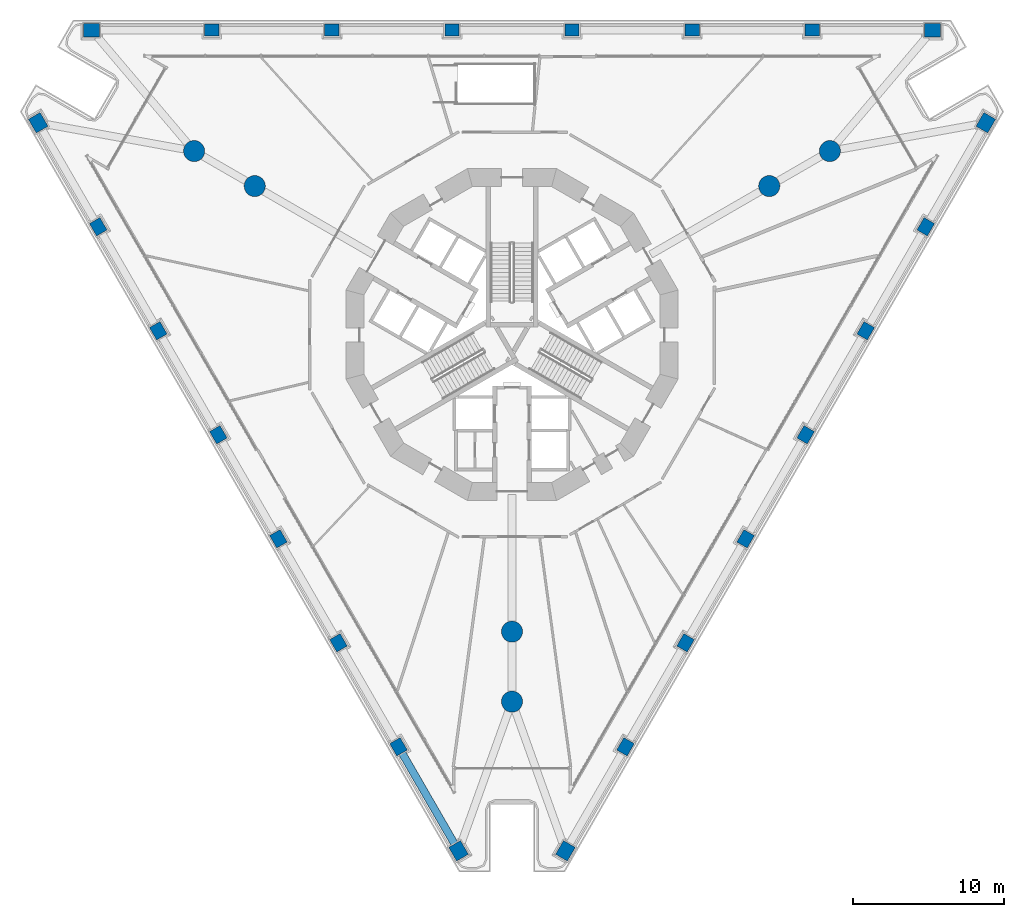
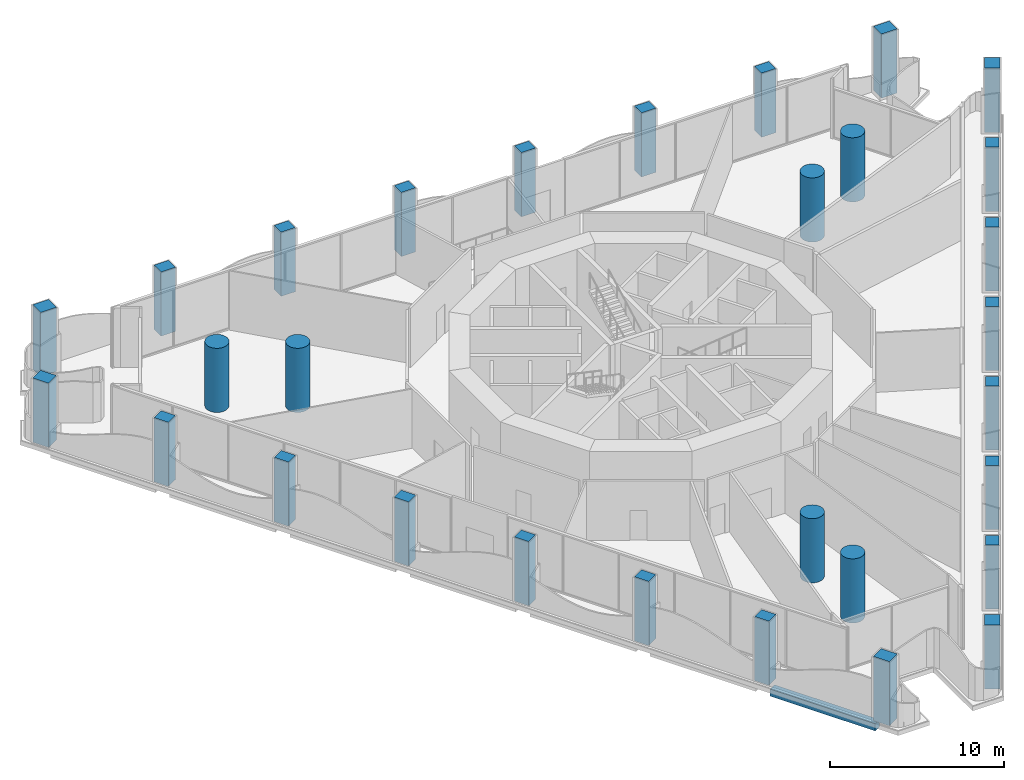
# One storey, part 1 of 21: 30 columns, 1 beam.
"""IFC4 building model written with IfcOpenShell, lengths in metres."""

from ifc_helpers import new_model, si_unit, direction, frame, origin, origin_2d, place, context, subcontext, project, spatial, rectangle, circle, extrude, material, material_profile, profile_set, type_object, element, save


model = new_model("IFC4")

# Units and contexts
model_context = context("Model", 3, precision=1e-05, world=origin(), true_north=direction((0.0, 1.0)))
body_context = subcontext(model_context, "Body", "Model", "MODEL_VIEW")
ifc_project = project(units=[si_unit("LENGTHUNIT", "METRE"), si_unit("AREAUNIT", "SQUARE_METRE"), si_unit("VOLUMEUNIT", "CUBIC_METRE"), si_unit("PLANEANGLEUNIT", "RADIAN"), si_unit("MASSUNIT", "GRAM", prefix="KILO")], contexts=[model_context])

# Site, building, storey
site_placement = place(None, origin())
site = spatial("IfcSite", under=ifc_project, at=site_placement, CompositionType="ELEMENT")
building_placement = place(site_placement, origin())
building = spatial("IfcBuilding", under=site, at=building_placement, Name="Trine Commons Tower", CompositionType="ELEMENT")
storey_placement = place(building_placement, frame((0.0, 0.0, 27.0)))
storey = spatial("IfcBuildingStorey", under=building, at=storey_placement, Name="L05", CompositionType="ELEMENT", Elevation=27.0)

# Columns
ifc_material_1 = material(Name="Concrete C80/95", Category="concrete")
ifc_material_profile_1 = material_profile(ifc_material_1, rectangle(XDim=1.050048828125, YDim=0.89990234375, at=origin_2d()), Name="RC 1050x900")
ifc_profile_set_1 = profile_set([ifc_material_profile_1], Name="Concrete C80/95")
column_type_1 = type_object("IfcColumnType", Name="RC column 1050x900, C80/95", PredefinedType="COLUMN", material=ifc_profile_set_1)
for number, where, z_axis, x_axis, name in (
    (1, (76.45556640625, 28.27001953125, 0.0), (0.0, 0.0, 1.0), (-0.5, 0.866025403784, 0.0), "Column PC1-01 L05"),
    (2, (48.583740234375, 76.54541015625, 0.0), (0.0, 0.0, 1.0), (-0.5, 0.866025403784, 0.0), "Column PC1-08 L05"),
    (3, (52.128173828125, 82.6845703125, 0.0), (0.0, 0.0, 1.0), (1.0, 0.0, 0.0), "Column PC1-09 L05"),
    (4, (107.871826171875, 82.6845703125, 0.0), (0.0, 0.0, 1.0), (1.0, 0.0, 0.0), "Column PC1-16 L05"),
    (5, (111.416259765625, 76.54541015625, 0.0), (0.0, 0.0, 1.0), (0.5, 0.866025403784, 0.0), "Column PC1-17 L05"),
    (6, (83.54443359375, 28.27001953125, 0.0), (0.0, 0.0, 1.0), (0.5, 0.866025403784, 0.0), "Column PC1-24 L05"),
):
    element("IfcColumn", number, at=place(storey_placement, frame(where, z_axis=z_axis, x_axis=x_axis)), inside=storey, type_object=column_type_1, Name=name, PredefinedType="COLUMN", context=body_context, shape_type="SweptSolid", body=[
        extrude(rectangle(XDim=1.050048828125, YDim=0.89990234375, at=origin_2d()), origin(), (0.0, 0.0, 1.0), 4.5),
    ])
ifc_material_profile_2 = material_profile(ifc_material_1, rectangle(XDim=0.949951171875, YDim=0.800048828125, at=origin_2d()), Name="RC 950x800")
ifc_profile_set_2 = profile_set([ifc_material_profile_2], Name="Concrete C80/95")
column_type_2 = type_object("IfcColumnType", Name="RC column 950x800, C80/95", PredefinedType="COLUMN", material=ifc_profile_set_2)
for number, where, z_axis, x_axis, name in (
    (7, (72.473876953125, 35.16650390625, 0.0), (0.0, 0.0, 1.0), (-0.5, 0.866025403784, 0.0), "Column PC1-02 L05"),
    (8, (68.4921875, 42.06298828125, 0.0), (0.0, 0.0, 1.0), (-0.5, 0.866025403784, 0.0), "Column PC1-03 L05"),
    (9, (64.510498046875, 48.95947265625, 0.0), (0.0, 0.0, 1.0), (-0.5, 0.866025403784, 0.0), "Column PC1-04 L05"),
    (10, (60.52880859375, 55.85595703125, 0.0), (0.0, 0.0, 1.0), (-0.5, 0.866025403784, 0.0), "Column PC1-05 L05"),
    (11, (56.547119140625, 62.75244140625, 0.0), (0.0, 0.0, 1.0), (-0.5, 0.866025403784, 0.0), "Column PC1-06 L05"),
    (12, (52.5654296875, 69.64892578125, 0.0), (0.0, 0.0, 1.0), (-0.5, 0.866025403784, 0.0), "Column PC1-07 L05"),
    (13, (60.091552734375, 82.6845703125, 0.0), (0.0, 0.0, 1.0), (1.0, 0.0, 0.0), "Column PC1-10 L05"),
    (14, (68.054931640625, 82.6845703125, 0.0), (0.0, 0.0, 1.0), (1.0, 0.0, 0.0), "Column PC1-11 L05"),
    (15, (76.018310546875, 82.6845703125, 0.0), (0.0, 0.0, 1.0), (1.0, 0.0, 0.0), "Column PC1-12 L05"),
    (16, (83.981689453125, 82.6845703125, 0.0), (0.0, 0.0, 1.0), (1.0, 0.0, 0.0), "Column PC1-13 L05"),
    (17, (91.945068359375, 82.6845703125, 0.0), (0.0, 0.0, 1.0), (1.0, 0.0, 0.0), "Column PC1-14 L05"),
    (18, (99.908447265625, 82.6845703125, 0.0), (0.0, 0.0, 1.0), (1.0, 0.0, 0.0), "Column PC1-15 L05"),
    (19, (107.4345703125, 69.64892578125, 0.0), (0.0, 0.0, 1.0), (0.5, 0.866025403784, 0.0), "Column PC1-18 L05"),
    (20, (103.452880859375, 62.75244140625, 0.0), (0.0, 0.0, 1.0), (0.5, 0.866025403784, 0.0), "Column PC1-19 L05"),
    (21, (99.47119140625, 55.85595703125, 0.0), (0.0, 0.0, 1.0), (0.5, 0.866025403784, 0.0), "Column PC1-20 L05"),
    (22, (95.489501953125, 48.95947265625, 0.0), (0.0, 0.0, 1.0), (0.5, 0.866025403784, 0.0), "Column PC1-21 L05"),
    (23, (91.5078125, 42.06298828125, 0.0), (0.0, 0.0, 1.0), (0.5, 0.866025403784, 0.0), "Column PC1-22 L05"),
    (24, (87.526123046875, 35.16650390625, 0.0), (0.0, 0.0, 1.0), (0.5, 0.866025403784, 0.0), "Column PC1-23 L05"),
):
    element("IfcColumn", number, at=place(storey_placement, frame(where, z_axis=z_axis, x_axis=x_axis)), inside=storey, type_object=column_type_2, Name=name, PredefinedType="COLUMN", context=body_context, shape_type="SweptSolid", body=[
        extrude(rectangle(XDim=0.949951171875, YDim=0.800048828125, at=origin_2d()), origin(), (0.0, 0.0, 1.0), 4.5),
    ])
ifc_material_profile_3 = material_profile(ifc_material_1, circle(Radius=0.699951171875, at=origin_2d()), Name="RC round 1400")
ifc_profile_set_3 = profile_set([ifc_material_profile_3], Name="Concrete C80/95")
column_type_3 = type_object("IfcColumnType", Name="RC round column 1400 mm, C80/95", PredefinedType="COLUMN", material=ifc_profile_set_3)
for number, where, z_axis, x_axis, name in (
    (25, (80.0, 42.802978515625, 0.0), (0.0, 0.0, 1.0), (1.0, 0.0, 0.0), "Column WC1-1 L05"),
    (26, (80.0, 38.162109375, 0.0), (0.0, 0.0, 1.0), (1.0, 0.0, 0.0), "Column WC1-2 L05"),
    (27, (97.05810546875, 72.348388671875, 0.0), (0.0, 0.0, 1.0), (1.0, 0.0, 0.0), "Column WC1-3 L05"),
    (28, (101.0771484375, 74.6689453125, 0.0), (0.0, 0.0, 1.0), (1.0, 0.0, 0.0), "Column WC1-4 L05"),
    (29, (62.94189453125, 72.348388671875, 0.0), (0.0, 0.0, 1.0), (1.0, 0.0, 0.0), "Column WC1-5 L05"),
    (30, (58.9228515625, 74.6689453125, 0.0), (0.0, 0.0, 1.0), (1.0, 0.0, 0.0), "Column WC1-6 L05"),
):
    element("IfcColumn", number, at=place(storey_placement, frame(where, z_axis=z_axis, x_axis=x_axis)), inside=storey, type_object=column_type_3, Name=name, PredefinedType="COLUMN", context=body_context, shape_type="SweptSolid", body=[
        extrude(circle(Radius=0.699951171875, at=origin_2d()), origin(), (0.0, 0.0, 1.0), 4.5),
    ])

# Beam
ifc_material_2 = material(Name="Concrete C50/60", Category="concrete")
ifc_material_profile_4 = material_profile(ifc_material_2, rectangle(XDim=0.5, YDim=0.5, at=origin_2d()), Name="RC 500x500")
ifc_profile_set_4 = profile_set([ifc_material_profile_4], Name="Concrete C50/60")
beam_type = type_object("IfcBeamType", Name="RC beam 500x500, C50/60", PredefinedType="BEAM", material=ifc_profile_set_4)
beam_placement = place(storey_placement, frame((76.193115234375, 28.724609375, -0.60009765625), z_axis=(-0.500022902661, 0.866012180523, 0.0), x_axis=(-0.866012180523, -0.500022902661, 0.0)))
element("IfcBeam", 31, at=beam_placement, inside=storey, type_object=beam_type, Name="Beam EB1-01 L05", PredefinedType="BEAM", context=body_context, shape_type="SweptSolid", body=[
    extrude(rectangle(XDim=0.5, YDim=0.5, at=origin_2d()), origin(), (0.0, 0.0, 1.0), 6.963623046875),
])

save(model, "model.ifc")
